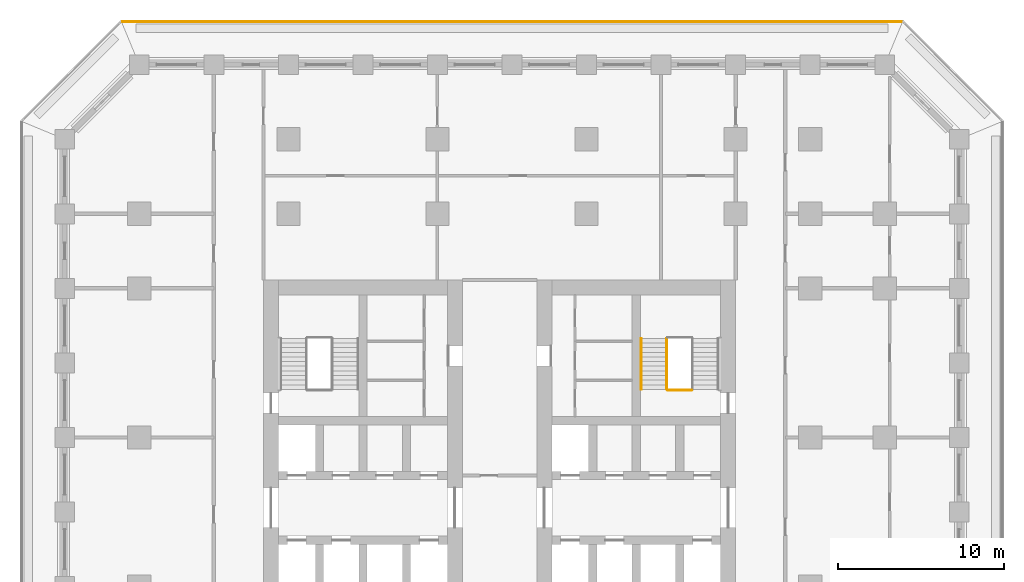
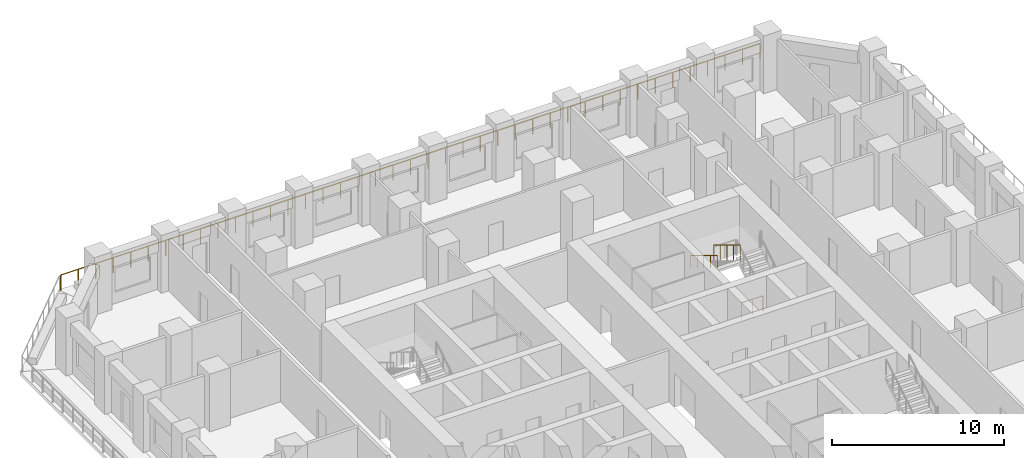
# One storey, part 15 of 17: 4 railings.
"""IFC4 building model written with IfcOpenShell, lengths in metres."""

from ifc_helpers import new_model, si_unit, direction, frame, origin, origin_2d, place, context, subcontext, project, spatial, circle, extrude, material, type_object, element, save


model = new_model("IFC4")

# Units and contexts
model_context = context("Model", 3, precision=1e-05, world=origin(), true_north=direction((0.0, 1.0)))
body_context = subcontext(model_context, "Body", "Model", "MODEL_VIEW")
ifc_project = project(units=[si_unit("LENGTHUNIT", "METRE"), si_unit("AREAUNIT", "SQUARE_METRE"), si_unit("VOLUMEUNIT", "CUBIC_METRE"), si_unit("PLANEANGLEUNIT", "RADIAN"), si_unit("MASSUNIT", "GRAM", prefix="KILO")], contexts=[model_context])

# Site, building, storey
site_placement = place(None, origin())
site = spatial("IfcSite", under=ifc_project, at=site_placement, CompositionType="ELEMENT")
building_placement = place(site_placement, origin())
building = spatial("IfcBuilding", under=site, at=building_placement, Name="Corbel Stack Research Tower", CompositionType="ELEMENT")
storey_placement = place(building_placement, frame((0.0, 0.0, 86.10009765625)))
storey = spatial("IfcBuildingStorey", under=building, at=storey_placement, Name="L19", CompositionType="ELEMENT", Elevation=86.10009765625)

# Railings
ifc_material_1 = material(Name="Steel S355", Category="steel")
railing_type_1 = type_object("IfcRailingType", Name="Stair guard 1100", PredefinedType="GUARDRAIL", material=ifc_material_1)
railing_1_placement = place(storey_placement, frame((13.85009765625, 14.97998046875, 2.220703125)))
element("IfcRailing", 1, at=railing_1_placement, inside=storey, type_object=railing_type_1, Name="L19 ST-E2 stair guard 4", PredefinedType="GUARDRAIL", context=body_context, shape_type="SweptSolid", body=[
    extrude(circle(Radius=0.02392578125, at=origin_2d()), frame((0.0, 0.0, 1.076171875), z_axis=(0.0, -0.853666305674, 0.52082035152), x_axis=(1.0, 0.0, 0.0)), (0.0, 0.0, 1.0), 3.608154296875),
    extrude(circle(Radius=0.02099609375, at=origin_2d()), origin(), (0.0, 0.0, 1.0), 1.052001953125),
    extrude(circle(Radius=0.02099609375, at=origin_2d()), frame((0.0, -0.77001953125, 0.4697265625)), (0.0, 0.0, 1.0), 1.052001953125),
    extrude(circle(Radius=0.02099609375, at=origin_2d()), frame((0.0, -1.5400390625, 0.939453125)), (0.0, 0.0, 1.0), 1.052001953125),
    extrude(circle(Radius=0.02099609375, at=origin_2d()), frame((0.0, -2.31005859375, 1.409423828125)), (0.0, 0.0, 1.0), 1.052001953125),
    extrude(circle(Radius=0.02099609375, at=origin_2d()), frame((0.0, -3.080078125, 1.879150390625)), (0.0, 0.0, 1.0), 1.052001953125),
])
railing_2_placement = place(storey_placement, frame((15.35009765625, 11.85009765625, 0.0)))
element("IfcRailing", 2, at=railing_2_placement, inside=storey, type_object=railing_type_1, Name="L19 ST-E2 stair guard 5", PredefinedType="GUARDRAIL", context=body_context, shape_type="SweptSolid", body=[
    extrude(circle(Radius=0.02392578125, at=origin_2d()), frame((0.0, 0.0, 1.076171875), z_axis=(-1.0, 0.0, 0.0), x_axis=(0.0, -1.0, 0.0)), (0.0, 0.0, 1.0), 1.4501953125),
    extrude(circle(Radius=0.02099609375, at=origin_2d()), origin(), (0.0, 0.0, 1.0), 1.052001953125),
    extrude(circle(Radius=0.02099609375, at=origin_2d()), frame((-0.72509765625, 0.0, 0.0)), (0.0, 0.0, 1.0), 1.052001953125),
    extrude(circle(Radius=0.02099609375, at=origin_2d()), frame((-1.4501953125, 0.0, 0.0)), (0.0, 0.0, 1.0), 1.052001953125),
])
ifc_material_2 = material(Name="Steel S355", Category="steel")
railing_type_2 = type_object("IfcRailingType", Name="Stair handrail 900", PredefinedType="HANDRAIL", material=ifc_material_2)
railing_3_placement = place(storey_placement, frame((12.300048828125, 14.97998046875, 2.220703125)))
element("IfcRailing", 3, at=railing_3_placement, inside=storey, type_object=railing_type_2, Name="L19 ST-E2 stair handrail 2", PredefinedType="HANDRAIL", context=body_context, shape_type="SweptSolid", body=[
    extrude(circle(Radius=0.02392578125, at=origin_2d()), frame((0.0, 0.0, 0.8759765625), z_axis=(0.0, -0.853666305674, 0.52082035152), x_axis=(1.0, 0.0, 0.0)), (0.0, 0.0, 1.0), 3.608154296875),
    extrude(circle(Radius=0.02099609375, at=origin_2d()), origin(), (0.0, 0.0, 1.0), 0.851806640625),
    extrude(circle(Radius=0.02099609375, at=origin_2d()), frame((0.0, -0.77001953125, 0.4697265625)), (0.0, 0.0, 1.0), 0.851806640625),
    extrude(circle(Radius=0.02099609375, at=origin_2d()), frame((0.0, -1.5400390625, 0.939453125)), (0.0, 0.0, 1.0), 0.851806640625),
    extrude(circle(Radius=0.02099609375, at=origin_2d()), frame((0.0, -2.31005859375, 1.409423828125)), (0.0, 0.0, 1.0), 0.851806640625),
    extrude(circle(Radius=0.02099609375, at=origin_2d()), frame((0.0, -3.080078125, 1.879150390625)), (0.0, 0.0, 1.0), 0.851806640625),
])
ifc_material_3 = material(Name="Powder-coated steel guard", Category="steel")
railing_type_3 = type_object("IfcRailingType", Name="Steel and glass guard 1100", PredefinedType="GUARDRAIL", material=ifc_material_3)
railing_4_placement = place(storey_placement, frame((28.00537109375, 34.10009765625, 0.0)))
element("IfcRailing", 4, at=railing_4_placement, inside=storey, type_object=railing_type_3, Name="Loggia guard L19 N", PredefinedType="GUARDRAIL", context=body_context, shape_type="SweptSolid", body=[
    extrude(circle(Radius=0.02392578125, at=origin_2d()), frame((0.0, 0.0, 1.076171875), z_axis=(-1.0, 0.0, 0.0), x_axis=(0.0, -1.0, 0.0)), (0.0, 0.0, 1.0), 47.0107421875),
    extrude(circle(Radius=0.02099609375, at=origin_2d()), origin(), (0.0, 0.0, 1.0), 1.052001953125),
    extrude(circle(Radius=0.02099609375, at=origin_2d()), frame((-1.17529296875, 0.0, 0.0)), (0.0, 0.0, 1.0), 1.052001953125),
    extrude(circle(Radius=0.02099609375, at=origin_2d()), frame((-2.3505859375, 0.0, 0.0)), (0.0, 0.0, 1.0), 1.052001953125),
    extrude(circle(Radius=0.02099609375, at=origin_2d()), frame((-3.52587890625, 0.0, 0.0)), (0.0, 0.0, 1.0), 1.052001953125),
    extrude(circle(Radius=0.02099609375, at=origin_2d()), frame((-4.701171875, 0.0, 0.0)), (0.0, 0.0, 1.0), 1.052001953125),
    extrude(circle(Radius=0.02099609375, at=origin_2d()), frame((-5.87646484375, 0.0, 0.0)), (0.0, 0.0, 1.0), 1.052001953125),
    extrude(circle(Radius=0.02099609375, at=origin_2d()), frame((-7.051513671875, 0.0, 0.0)), (0.0, 0.0, 1.0), 1.052001953125),
    extrude(circle(Radius=0.02099609375, at=origin_2d()), frame((-8.226806640625, 0.0, 0.0)), (0.0, 0.0, 1.0), 1.052001953125),
    extrude(circle(Radius=0.02099609375, at=origin_2d()), frame((-9.402099609375, 0.0, 0.0)), (0.0, 0.0, 1.0), 1.052001953125),
    extrude(circle(Radius=0.02099609375, at=origin_2d()), frame((-10.577392578125, 0.0, 0.0)), (0.0, 0.0, 1.0), 1.052001953125),
    extrude(circle(Radius=0.02099609375, at=origin_2d()), frame((-11.752685546875, 0.0, 0.0)), (0.0, 0.0, 1.0), 1.052001953125),
    extrude(circle(Radius=0.02099609375, at=origin_2d()), frame((-12.927978515625, 0.0, 0.0)), (0.0, 0.0, 1.0), 1.052001953125),
    extrude(circle(Radius=0.02099609375, at=origin_2d()), frame((-14.103271484375, 0.0, 0.0)), (0.0, 0.0, 1.0), 1.052001953125),
    extrude(circle(Radius=0.02099609375, at=origin_2d()), frame((-15.278564453125, 0.0, 0.0)), (0.0, 0.0, 1.0), 1.052001953125),
    extrude(circle(Radius=0.02099609375, at=origin_2d()), frame((-16.453857421875, 0.0, 0.0)), (0.0, 0.0, 1.0), 1.052001953125),
    extrude(circle(Radius=0.02099609375, at=origin_2d()), frame((-17.62890625, 0.0, 0.0)), (0.0, 0.0, 1.0), 1.052001953125),
    extrude(circle(Radius=0.02099609375, at=origin_2d()), frame((-18.80419921875, 0.0, 0.0)), (0.0, 0.0, 1.0), 1.052001953125),
    extrude(circle(Radius=0.02099609375, at=origin_2d()), frame((-19.9794921875, 0.0, 0.0)), (0.0, 0.0, 1.0), 1.052001953125),
    extrude(circle(Radius=0.02099609375, at=origin_2d()), frame((-21.15478515625, 0.0, 0.0)), (0.0, 0.0, 1.0), 1.052001953125),
    extrude(circle(Radius=0.02099609375, at=origin_2d()), frame((-22.330078125, 0.0, 0.0)), (0.0, 0.0, 1.0), 1.052001953125),
    extrude(circle(Radius=0.02099609375, at=origin_2d()), frame((-23.50537109375, 0.0, 0.0)), (0.0, 0.0, 1.0), 1.052001953125),
    extrude(circle(Radius=0.02099609375, at=origin_2d()), frame((-24.6806640625, 0.0, 0.0)), (0.0, 0.0, 1.0), 1.052001953125),
    extrude(circle(Radius=0.02099609375, at=origin_2d()), frame((-25.85595703125, 0.0, 0.0)), (0.0, 0.0, 1.0), 1.052001953125),
    extrude(circle(Radius=0.02099609375, at=origin_2d()), frame((-27.03125, 0.0, 0.0)), (0.0, 0.0, 1.0), 1.052001953125),
    extrude(circle(Radius=0.02099609375, at=origin_2d()), frame((-28.20654296875, 0.0, 0.0)), (0.0, 0.0, 1.0), 1.052001953125),
    extrude(circle(Radius=0.02099609375, at=origin_2d()), frame((-29.3818359375, 0.0, 0.0)), (0.0, 0.0, 1.0), 1.052001953125),
    extrude(circle(Radius=0.02099609375, at=origin_2d()), frame((-30.556884765625, 0.0, 0.0)), (0.0, 0.0, 1.0), 1.052001953125),
    extrude(circle(Radius=0.02099609375, at=origin_2d()), frame((-31.732177734375, 0.0, 0.0)), (0.0, 0.0, 1.0), 1.052001953125),
    extrude(circle(Radius=0.02099609375, at=origin_2d()), frame((-32.907470703125, 0.0, 0.0)), (0.0, 0.0, 1.0), 1.052001953125),
    extrude(circle(Radius=0.02099609375, at=origin_2d()), frame((-34.082763671875, 0.0, 0.0)), (0.0, 0.0, 1.0), 1.052001953125),
    extrude(circle(Radius=0.02099609375, at=origin_2d()), frame((-35.258056640625, 0.0, 0.0)), (0.0, 0.0, 1.0), 1.052001953125),
    extrude(circle(Radius=0.02099609375, at=origin_2d()), frame((-36.433349609375, 0.0, 0.0)), (0.0, 0.0, 1.0), 1.052001953125),
    extrude(circle(Radius=0.02099609375, at=origin_2d()), frame((-37.608642578125, 0.0, 0.0)), (0.0, 0.0, 1.0), 1.052001953125),
    extrude(circle(Radius=0.02099609375, at=origin_2d()), frame((-38.783935546875, 0.0, 0.0)), (0.0, 0.0, 1.0), 1.052001953125),
    extrude(circle(Radius=0.02099609375, at=origin_2d()), frame((-39.959228515625, 0.0, 0.0)), (0.0, 0.0, 1.0), 1.052001953125),
    extrude(circle(Radius=0.02099609375, at=origin_2d()), frame((-41.13427734375, 0.0, 0.0)), (0.0, 0.0, 1.0), 1.052001953125),
    extrude(circle(Radius=0.02099609375, at=origin_2d()), frame((-42.3095703125, 0.0, 0.0)), (0.0, 0.0, 1.0), 1.052001953125),
    extrude(circle(Radius=0.02099609375, at=origin_2d()), frame((-43.48486328125, 0.0, 0.0)), (0.0, 0.0, 1.0), 1.052001953125),
    extrude(circle(Radius=0.02099609375, at=origin_2d()), frame((-44.66015625, 0.0, 0.0)), (0.0, 0.0, 1.0), 1.052001953125),
    extrude(circle(Radius=0.02099609375, at=origin_2d()), frame((-45.83544921875, 0.0, 0.0)), (0.0, 0.0, 1.0), 1.052001953125),
    extrude(circle(Radius=0.02099609375, at=origin_2d()), frame((-47.0107421875, 0.0, 0.0)), (0.0, 0.0, 1.0), 1.052001953125),
])

save(model, "model.ifc")
